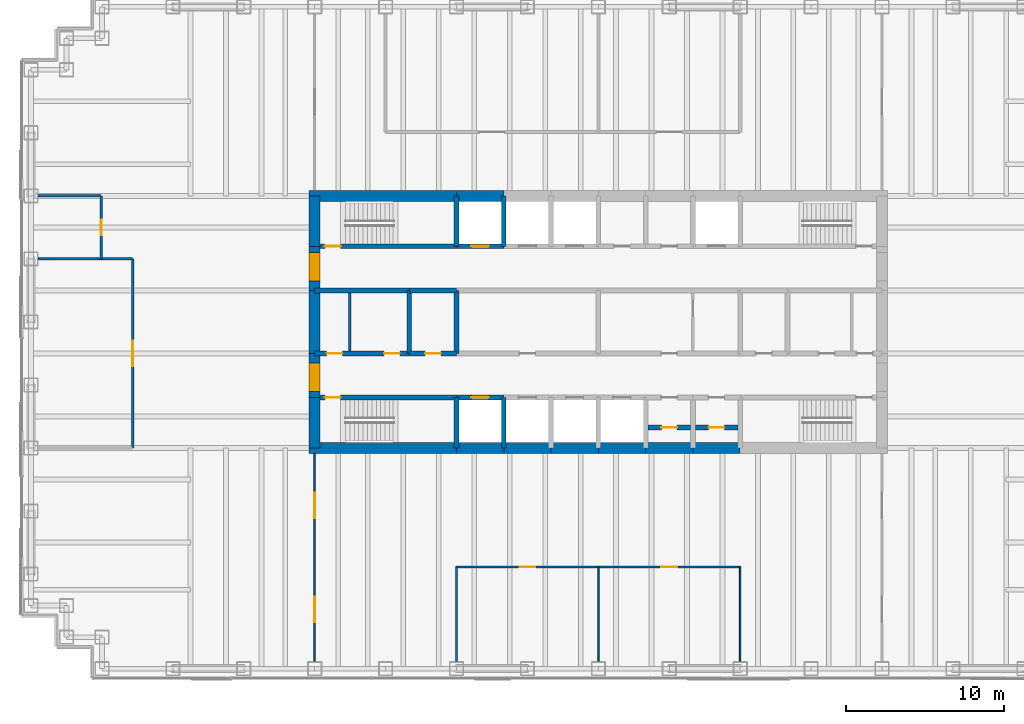
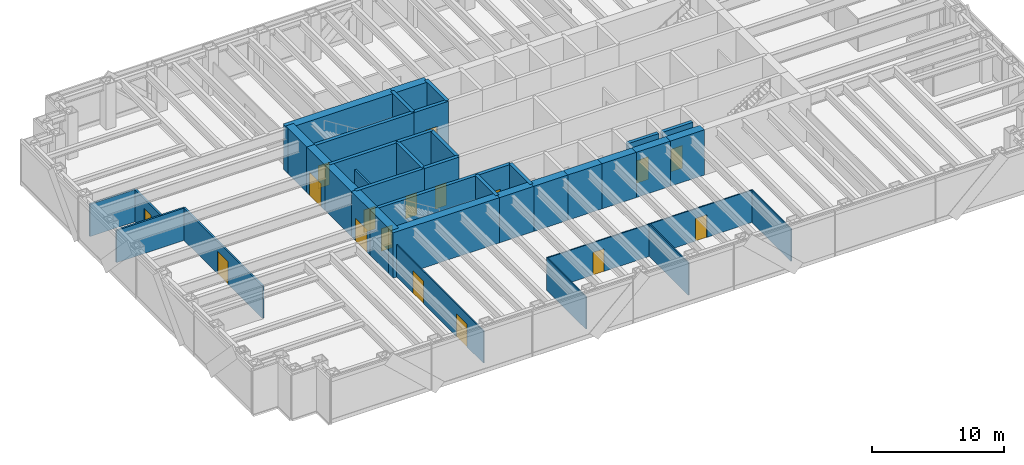
# One storey, part 11 of 15: 40 walls, 17 doors, 17 openings.
"""IFC4 building model written with IfcOpenShell, lengths in metres."""

from ifc_helpers import new_model, si_unit, direction, frame, frame_2d, origin, place, context, subcontext, project, spatial, rectangle, extrude, material, layer, layer_set, type_object, element, fill, save


model = new_model("IFC4")

# Units and contexts
model_context = context("Model", 3, precision=1e-05, world=origin(), true_north=direction((0.0, 1.0)))
body_context = subcontext(model_context, "Body", "Model", "MODEL_VIEW")
ifc_project = project(units=[si_unit("LENGTHUNIT", "METRE"), si_unit("AREAUNIT", "SQUARE_METRE"), si_unit("VOLUMEUNIT", "CUBIC_METRE"), si_unit("PLANEANGLEUNIT", "RADIAN"), si_unit("MASSUNIT", "GRAM", prefix="KILO")], contexts=[model_context])

# Site, building, storey
site_placement = place(None, origin())
site = spatial("IfcSite", under=ifc_project, at=site_placement, CompositionType="ELEMENT")
building_placement = place(site_placement, origin())
building = spatial("IfcBuilding", under=site, at=building_placement, Name="Rheinbord Bourse Tower", CompositionType="ELEMENT")
storey_placement = place(building_placement, frame((0.0, 0.0, 325.699951171875)))
storey = spatial("IfcBuildingStorey", under=building, at=storey_placement, Name="L74", CompositionType="ELEMENT", Elevation=325.699951171875)

# Wall, opening, door
ifc_material_1 = material(Name="Concrete C50/60", Category="concrete")
ifc_layer_1 = layer(ifc_material_1, 0.300048828125)
ifc_layer_set_1 = layer_set([ifc_layer_1], Name="CORE INNER WALL 300")
wall_type_1 = type_object("IfcWallType", Name="CORE INNER WALL 300", PredefinedType="SOLIDWALL", material=ifc_layer_set_1)
wall_1_placement = place(storey_placement, frame((18.0, 19.199951171875, 0.0), z_axis=(0.0, 0.0, 1.0), x_axis=(1.0, 0.0, 0.0)))
wall_1 = element("IfcWall", 1, at=wall_1_placement, inside=storey, type_object=wall_type_1, Name="Core wall A1 L74", PredefinedType="SOLIDWALL", context=body_context, shape_type="SweptSolid", body=[
    extrude(rectangle(XDim=9.0, YDim=0.300048828125, at=frame_2d((4.5, 0.0))), origin(), (0.0, 0.0, 1.0), 4.199951171875),
])
opening_1_placement = place(wall_1_placement, frame((0.64990234375, 0.0, 0.0)))
opening_1 = element("IfcOpeningElement", 2, at=opening_1_placement, cuts=wall_1, Name="Opening 7410", PredefinedType="OPENING", context=body_context, shape_type="SweptSolid", body=[
    extrude(rectangle(XDim=1.0, YDim=2.10009765625, at=frame_2d((0.5, 1.050048828125))), frame((0.0, 0.159912109375, 0.0), z_axis=(0.0, -1.0, 0.0), x_axis=(1.0, 0.0, 0.0)), (0.0, 0.0, 1.0), 0.320068359375),
])
ifc_material_2 = material(Name="Steel door", Category="steel")
door_type_1 = type_object("IfcDoorType", Name="DOOR 1000 EI30", OperationType="SINGLE_SWING_LEFT", PredefinedType="DOOR", material=ifc_material_2)
door_1_placement = place(opening_1_placement, origin())
door_1 = element("IfcDoor", 3, at=door_1_placement, inside=storey, type_object=door_type_1, Name="Stair door ST1 L74", OperationType="SINGLE_SWING_LEFT", OverallHeight=2.10009765625, OverallWidth=1.0, PredefinedType="DOOR", context=body_context, shape_type="SweptSolid", body=[
    extrude(rectangle(XDim=1.0, YDim=2.10009765625, at=frame_2d((0.5, 1.050048828125))), frame((0.0, 0.02490234375, 0.0), z_axis=(0.0, -1.0, 0.0), x_axis=(1.0, 0.0, 0.0)), (0.0, 0.0, 1.0), 0.050048828125),
])
fill(opening_1, door_1)

wall_2_placement = place(storey_placement, frame((27.0, 19.199951171875, 0.0), z_axis=(0.0, 0.0, 1.0), x_axis=(1.0, 0.0, 0.0)))
wall_2 = element("IfcWall", 4, at=wall_2_placement, inside=storey, type_object=wall_type_1, Name="Core wall A2 L74", PredefinedType="SOLIDWALL", context=body_context, shape_type="SweptSolid", body=[
    extrude(rectangle(XDim=3.0, YDim=0.300048828125, at=frame_2d((1.5, 0.0))), origin(), (0.0, 0.0, 1.0), 4.199951171875),
])
opening_2_placement = place(wall_2_placement, frame((0.949951171875, 0.0, 0.0)))
opening_2 = element("IfcOpeningElement", 5, at=opening_2_placement, cuts=wall_2, Name="Opening FL1", PredefinedType="OPENING", context=body_context, shape_type="SweptSolid", body=[
    extrude(rectangle(XDim=1.10009765625, YDim=2.199951171875, at=frame_2d((0.550048828125, 1.10009765625))), frame((0.0, 0.159912109375, 0.0), z_axis=(0.0, -1.0, 0.0), x_axis=(1.0, 0.0, 0.0)), (0.0, 0.0, 1.0), 0.320068359375),
])
ifc_material_3 = material(Name="Steel landing door", Category="steel")
door_type_2 = type_object("IfcDoorType", Name="LIFT LANDING DOOR 1100", OperationType="DOUBLE_DOOR_SLIDING", PredefinedType="USERDEFINED", material=ifc_material_3)
door_2_placement = place(opening_2_placement, origin())
door_2 = element("IfcDoor", 6, at=door_2_placement, inside=storey, type_object=door_type_2, Name="Lift landing door FL1 L74", ObjectType="LIFT LANDING DOOR", OperationType="DOUBLE_DOOR_SLIDING", OverallHeight=2.199951171875, OverallWidth=1.10009765625, PredefinedType="USERDEFINED", context=body_context, shape_type="SweptSolid", body=[
    extrude(rectangle(XDim=1.10009765625, YDim=2.199951171875, at=frame_2d((0.550048828125, 1.10009765625))), frame((0.0, 0.02490234375, 0.0), z_axis=(0.0, -1.0, 0.0), x_axis=(1.0, 0.0, 0.0)), (0.0, 0.0, 1.0), 0.050048828125),
])
fill(opening_2, door_2)

wall_3_placement = place(storey_placement, frame((18.0, 28.800048828125, 0.0), z_axis=(0.0, 0.0, 1.0), x_axis=(1.0, 0.0, 0.0)))
wall_3 = element("IfcWall", 7, at=wall_3_placement, inside=storey, type_object=wall_type_1, Name="Core wall B1 L74", PredefinedType="SOLIDWALL", context=body_context, shape_type="SweptSolid", body=[
    extrude(rectangle(XDim=9.0, YDim=0.300048828125, at=frame_2d((4.5, 0.0))), origin(), (0.0, 0.0, 1.0), 4.199951171875),
])
opening_3_placement = place(wall_3_placement, frame((0.64990234375, 0.0, 0.0)))
opening_3 = element("IfcOpeningElement", 8, at=opening_3_placement, cuts=wall_3, Name="Opening 7420", PredefinedType="OPENING", context=body_context, shape_type="SweptSolid", body=[
    extrude(rectangle(XDim=1.0, YDim=2.10009765625, at=frame_2d((0.5, 1.050048828125))), frame((0.0, 0.159912109375, 0.0), z_axis=(0.0, -1.0, 0.0), x_axis=(1.0, 0.0, 0.0)), (0.0, 0.0, 1.0), 0.320068359375),
])
door_3_placement = place(opening_3_placement, origin())
door_3 = element("IfcDoor", 9, at=door_3_placement, inside=storey, type_object=door_type_1, Name="Stair door ST2 L74", OperationType="SINGLE_SWING_LEFT", OverallHeight=2.10009765625, OverallWidth=1.0, PredefinedType="DOOR", context=body_context, shape_type="SweptSolid", body=[
    extrude(rectangle(XDim=1.0, YDim=2.10009765625, at=frame_2d((0.5, 1.050048828125))), frame((0.0, 0.02490234375, 0.0), z_axis=(0.0, -1.0, 0.0), x_axis=(1.0, 0.0, 0.0)), (0.0, 0.0, 1.0), 0.050048828125),
])
fill(opening_3, door_3)

wall_4_placement = place(storey_placement, frame((27.0, 28.800048828125, 0.0), z_axis=(0.0, 0.0, 1.0), x_axis=(1.0, 0.0, 0.0)))
wall_4 = element("IfcWall", 10, at=wall_4_placement, inside=storey, type_object=wall_type_1, Name="Core wall B2 L74", PredefinedType="SOLIDWALL", context=body_context, shape_type="SweptSolid", body=[
    extrude(rectangle(XDim=3.0, YDim=0.300048828125, at=frame_2d((1.5, 0.0))), origin(), (0.0, 0.0, 1.0), 4.199951171875),
])
opening_4_placement = place(wall_4_placement, frame((0.949951171875, 0.0, 0.0)))
opening_4 = element("IfcOpeningElement", 11, at=opening_4_placement, cuts=wall_4, Name="Opening GL1", PredefinedType="OPENING", context=body_context, shape_type="SweptSolid", body=[
    extrude(rectangle(XDim=1.10009765625, YDim=2.199951171875, at=frame_2d((0.550048828125, 1.10009765625))), frame((0.0, 0.159912109375, 0.0), z_axis=(0.0, -1.0, 0.0), x_axis=(1.0, 0.0, 0.0)), (0.0, 0.0, 1.0), 0.320068359375),
])
door_4_placement = place(opening_4_placement, origin())
door_4 = element("IfcDoor", 12, at=door_4_placement, inside=storey, type_object=door_type_2, Name="Lift landing door GL1 L74", ObjectType="LIFT LANDING DOOR", OperationType="DOUBLE_DOOR_SLIDING", OverallHeight=2.199951171875, OverallWidth=1.10009765625, PredefinedType="USERDEFINED", context=body_context, shape_type="SweptSolid", body=[
    extrude(rectangle(XDim=1.10009765625, YDim=2.199951171875, at=frame_2d((0.550048828125, 1.10009765625))), frame((0.0, 0.02490234375, 0.0), z_axis=(0.0, -1.0, 0.0), x_axis=(1.0, 0.0, 0.0)), (0.0, 0.0, 1.0), 0.050048828125),
])
fill(opening_4, door_4)

# Wall, openings, doors
wall_5_placement = place(storey_placement, frame((18.0, 22.0, 0.0), z_axis=(0.0, 0.0, 1.0), x_axis=(1.0, 0.0, 0.0)))
wall_5 = element("IfcWall", 13, at=wall_5_placement, inside=storey, type_object=wall_type_1, Name="Core wall C1 L74", PredefinedType="SOLIDWALL", context=body_context, shape_type="SweptSolid", body=[
    extrude(rectangle(XDim=6.0, YDim=0.300048828125, at=frame_2d((3.0, 0.0))), origin(), (0.0, 0.0, 1.0), 4.199951171875),
])
opening_5_placement = place(wall_5_placement, frame((4.39990234375, 0.0, 0.0)))
opening_5 = element("IfcOpeningElement", 14, at=opening_5_placement, cuts=wall_5, Name="Opening 74R1", PredefinedType="OPENING", context=body_context, shape_type="SweptSolid", body=[
    extrude(rectangle(XDim=1.0, YDim=2.10009765625, at=frame_2d((0.5, 1.050048828125))), frame((0.0, 0.159912109375, 0.0), z_axis=(0.0, -1.0, 0.0), x_axis=(1.0, 0.0, 0.0)), (0.0, 0.0, 1.0), 0.320068359375),
])
opening_6_placement = place(wall_5_placement, frame((0.75, 0.0, 0.0)))
opening_6 = element("IfcOpeningElement", 15, at=opening_6_placement, cuts=wall_5, Name="Opening 74R9", PredefinedType="OPENING", context=body_context, shape_type="SweptSolid", body=[
    extrude(rectangle(XDim=1.0, YDim=2.10009765625, at=frame_2d((0.5, 1.050048828125))), frame((0.0, 0.159912109375, 0.0), z_axis=(0.0, -1.0, 0.0), x_axis=(1.0, 0.0, 0.0)), (0.0, 0.0, 1.0), 0.320068359375),
])
door_5_placement = place(opening_6_placement, origin())
door_5 = element("IfcDoor", 16, at=door_5_placement, inside=storey, type_object=door_type_1, Name="Staff shower door L74", OperationType="SINGLE_SWING_LEFT", OverallHeight=2.10009765625, OverallWidth=1.0, PredefinedType="DOOR", context=body_context, shape_type="SweptSolid", body=[
    extrude(rectangle(XDim=1.0, YDim=2.10009765625, at=frame_2d((0.5, 1.050048828125))), frame((0.0, 0.02490234375, 0.0), z_axis=(0.0, -1.0, 0.0), x_axis=(1.0, 0.0, 0.0)), (0.0, 0.0, 1.0), 0.050048828125),
])
fill(opening_6, door_5)
ifc_material_4 = material(Name="Timber door", Category="wood")
door_type_3 = type_object("IfcDoorType", Name="DOOR 1000 WC", OperationType="SINGLE_SWING_LEFT", PredefinedType="DOOR", material=ifc_material_4)
door_6_placement = place(opening_5_placement, origin())
door_6 = element("IfcDoor", 17, at=door_6_placement, inside=storey, type_object=door_type_3, Name="WC men door L74", OperationType="SINGLE_SWING_RIGHT", OverallHeight=2.10009765625, OverallWidth=1.0, PredefinedType="DOOR", context=body_context, shape_type="SweptSolid", body=[
    extrude(rectangle(XDim=1.0, YDim=2.10009765625, at=frame_2d((0.5, 1.050048828125))), frame((0.0, 0.02490234375, 0.0), z_axis=(0.0, -1.0, 0.0), x_axis=(1.0, 0.0, 0.0)), (0.0, 0.0, 1.0), 0.050048828125),
])
fill(opening_5, door_6)

# Wall, opening, door
wall_6_placement = place(storey_placement, frame((24.0, 22.0, 0.0), z_axis=(0.0, 0.0, 1.0), x_axis=(1.0, 0.0, 0.0)))
wall_6 = element("IfcWall", 18, at=wall_6_placement, inside=storey, type_object=wall_type_1, Name="Core wall C2 L74", PredefinedType="SOLIDWALL", context=body_context, shape_type="SweptSolid", body=[
    extrude(rectangle(XDim=3.0, YDim=0.300048828125, at=frame_2d((1.5, 0.0))), origin(), (0.0, 0.0, 1.0), 4.199951171875),
])
opening_7_placement = place(wall_6_placement, frame((1.0, 0.0, 0.0)))
opening_7 = element("IfcOpeningElement", 19, at=opening_7_placement, cuts=wall_6, Name="Opening 74R2", PredefinedType="OPENING", context=body_context, shape_type="SweptSolid", body=[
    extrude(rectangle(XDim=1.0, YDim=2.10009765625, at=frame_2d((0.5, 1.050048828125))), frame((0.0, 0.159912109375, 0.0), z_axis=(0.0, -1.0, 0.0), x_axis=(1.0, 0.0, 0.0)), (0.0, 0.0, 1.0), 0.320068359375),
])
door_7_placement = place(opening_7_placement, origin())
door_7 = element("IfcDoor", 20, at=door_7_placement, inside=storey, type_object=door_type_1, Name="First aid room door L74", OperationType="SINGLE_SWING_LEFT", OverallHeight=2.10009765625, OverallWidth=1.0, PredefinedType="DOOR", context=body_context, shape_type="SweptSolid", body=[
    extrude(rectangle(XDim=1.0, YDim=2.10009765625, at=frame_2d((0.5, 1.050048828125))), frame((0.0, 0.02490234375, 0.0), z_axis=(0.0, -1.0, 0.0), x_axis=(1.0, 0.0, 0.0)), (0.0, 0.0, 1.0), 0.050048828125),
])
fill(opening_7, door_7)

# Walls
wall_7_placement = place(storey_placement, frame((18.0, 26.0, 0.0), z_axis=(0.0, 0.0, 1.0), x_axis=(1.0, 0.0, 0.0)))
element("IfcWall", 21, at=wall_7_placement, inside=storey, type_object=wall_type_1, Name="Core wall D1 L74", PredefinedType="SOLIDWALL", context=body_context, shape_type="SweptSolid", body=[
    extrude(rectangle(XDim=6.0, YDim=0.300048828125, at=frame_2d((3.0, 0.0))), origin(), (0.0, 0.0, 1.0), 4.199951171875),
])
wall_8_placement = place(storey_placement, frame((24.0, 26.0, 0.0), z_axis=(0.0, 0.0, 1.0), x_axis=(1.0, 0.0, 0.0)))
element("IfcWall", 22, at=wall_8_placement, inside=storey, type_object=wall_type_1, Name="Core wall D2 L74", PredefinedType="SOLIDWALL", context=body_context, shape_type="SweptSolid", body=[
    extrude(rectangle(XDim=3.0, YDim=0.300048828125, at=frame_2d((1.5, 0.0))), origin(), (0.0, 0.0, 1.0), 4.199951171875),
])
for number, where, z_axis, x_axis, name in (
    (23, (27.0, 16.0, 0.0), (0.0, 0.0, 1.0), (0.0, 1.0, 0.0), "Core wall SX27 L74"),
    (24, (27.0, 28.800048828125, 0.0), (0.0, 0.0, 1.0), (0.0, 1.0, 0.0), "Core wall NX27 L74"),
    (25, (30.0, 16.0, 0.0), (0.0, 0.0, 1.0), (0.0, 1.0, 0.0), "Core wall SX30 L74"),
    (26, (30.0, 28.800048828125, 0.0), (0.0, 0.0, 1.0), (0.0, 1.0, 0.0), "Core wall NX30 L74"),
):
    element("IfcWall", number, at=place(storey_placement, frame(where, z_axis=z_axis, x_axis=x_axis)), inside=storey, type_object=wall_type_1, Name=name, PredefinedType="SOLIDWALL", context=body_context, shape_type="SweptSolid", body=[
        extrude(rectangle(XDim=3.199951171875, YDim=0.300048828125, at=frame_2d((1.60009765625, 0.0))), origin(), (0.0, 0.0, 1.0), 4.199951171875),
    ])
for number, where, z_axis, x_axis, name in (
    (27, (24.0, 22.0, 0.0), (0.0, 0.0, 1.0), (0.0, 1.0, 0.0), "Core wall MX24 L74"),
    (28, (27.0, 22.0, 0.0), (0.0, 0.0, 1.0), (0.0, 1.0, 0.0), "Core wall MX27 L74"),
):
    element("IfcWall", number, at=place(storey_placement, frame(where, z_axis=z_axis, x_axis=x_axis)), inside=storey, type_object=wall_type_1, Name=name, PredefinedType="SOLIDWALL", context=body_context, shape_type="SweptSolid", body=[
        extrude(rectangle(XDim=4.0, YDim=0.300048828125, at=frame_2d((2.0, 0.0))), origin(), (0.0, 0.0, 1.0), 4.199951171875),
    ])

# Wall, opening, door
wall_9_placement = place(storey_placement, frame((39.14990234375, 17.300048828125, 0.0), z_axis=(0.0, 0.0, 1.0), x_axis=(1.0, 0.0, 0.0)))
wall_9 = element("IfcWall", 29, at=wall_9_placement, inside=storey, type_object=wall_type_1, Name="Core riser wall L74-6", PredefinedType="SOLIDWALL", context=body_context, shape_type="SweptSolid", body=[
    extrude(rectangle(XDim=2.7001953125, YDim=0.300048828125, at=frame_2d((1.35009765625, 0.0))), origin(), (0.0, 0.0, 1.0), 4.0400390625),
])
opening_8_placement = place(wall_9_placement, frame((0.85009765625, 0.0, 0.0)))
opening_8 = element("IfcOpeningElement", 30, at=opening_8_placement, cuts=wall_9, Name="Opening 74R12", PredefinedType="OPENING", context=body_context, shape_type="SweptSolid", body=[
    extrude(rectangle(XDim=1.0, YDim=2.10009765625, at=frame_2d((0.5, 1.050048828125))), frame((0.0, 0.159912109375, 0.0), z_axis=(0.0, -1.0, 0.0), x_axis=(1.0, 0.0, 0.0)), (0.0, 0.0, 1.0), 0.320068359375),
])
door_8_placement = place(opening_8_placement, origin())
door_8 = element("IfcDoor", 31, at=door_8_placement, inside=storey, type_object=door_type_1, Name="Comms riser door L74", OperationType="SINGLE_SWING_LEFT", OverallHeight=2.10009765625, OverallWidth=1.0, PredefinedType="DOOR", context=body_context, shape_type="SweptSolid", body=[
    extrude(rectangle(XDim=1.0, YDim=2.10009765625, at=frame_2d((0.5, 1.050048828125))), frame((0.0, 0.02490234375, 0.0), z_axis=(0.0, -1.0, 0.0), x_axis=(1.0, 0.0, 0.0)), (0.0, 0.0, 1.0), 0.050048828125),
])
fill(opening_8, door_8)

wall_10_placement = place(storey_placement, frame((42.14990234375, 17.300048828125, 0.0), z_axis=(0.0, 0.0, 1.0), x_axis=(1.0, 0.0, 0.0)))
wall_10 = element("IfcWall", 32, at=wall_10_placement, inside=storey, type_object=wall_type_1, Name="Core riser wall L74-7", PredefinedType="SOLIDWALL", context=body_context, shape_type="SweptSolid", body=[
    extrude(rectangle(XDim=2.7001953125, YDim=0.300048828125, at=frame_2d((1.35009765625, 0.0))), origin(), (0.0, 0.0, 1.0), 4.0400390625),
])
opening_9_placement = place(wall_10_placement, frame((0.85009765625, 0.0, 0.0)))
opening_9 = element("IfcOpeningElement", 33, at=opening_9_placement, cuts=wall_10, Name="Opening 74R13", PredefinedType="OPENING", context=body_context, shape_type="SweptSolid", body=[
    extrude(rectangle(XDim=1.0, YDim=2.10009765625, at=frame_2d((0.5, 1.050048828125))), frame((0.0, 0.159912109375, 0.0), z_axis=(0.0, -1.0, 0.0), x_axis=(1.0, 0.0, 0.0)), (0.0, 0.0, 1.0), 0.320068359375),
])
door_9_placement = place(opening_9_placement, origin())
door_9 = element("IfcDoor", 34, at=door_9_placement, inside=storey, type_object=door_type_1, Name="Electrical riser door L74", OperationType="SINGLE_SWING_LEFT", OverallHeight=2.10009765625, OverallWidth=1.0, PredefinedType="DOOR", context=body_context, shape_type="SweptSolid", body=[
    extrude(rectangle(XDim=1.0, YDim=2.10009765625, at=frame_2d((0.5, 1.050048828125))), frame((0.0, 0.02490234375, 0.0), z_axis=(0.0, -1.0, 0.0), x_axis=(1.0, 0.0, 0.0)), (0.0, 0.0, 1.0), 0.050048828125),
])
fill(opening_9, door_9)

# Walls
ifc_material_5 = material(Name="Gypsum board fire partition", Category="gypsum board")
ifc_layer_2 = layer(ifc_material_5, 0.14990234375)
ifc_layer_set_2 = layer_set([ifc_layer_2], Name="CORE PARTITION 150 EI30")
wall_type_2 = type_object("IfcWallType", Name="CORE PARTITION 150 EI30", PredefinedType="PARTITIONING", material=ifc_layer_set_2)
wall_11_placement = place(storey_placement, frame((20.22509765625, 22.14990234375, 0.0), z_axis=(0.0, 0.0, 1.0), x_axis=(0.0, 1.0, 0.0)))
element("IfcWall", 35, at=wall_11_placement, inside=storey, type_object=wall_type_2, Name="Core partition L74-2", PredefinedType="PARTITIONING", context=body_context, shape_type="SweptSolid", body=[
    extrude(rectangle(XDim=3.7001953125, YDim=0.14990234375, at=frame_2d((1.85009765625, 0.0))), origin(), (0.0, 0.0, 1.0), 3.0),
])
ifc_material_6 = material(Name="Concrete C50/60", Category="concrete")
ifc_layer_3 = layer(ifc_material_6, 0.699951171875)
ifc_layer_set_3 = layer_set([ifc_layer_3], Name="CORE WALL 700")
wall_type_3 = type_object("IfcWallType", Name="CORE WALL 700", PredefinedType="SHEAR", material=ifc_layer_set_3)
wall_12_placement = place(storey_placement, frame((17.64990234375, 16.0, 0.0), z_axis=(0.0, 0.0, 1.0), x_axis=(1.0, 0.0, 0.0)))
element("IfcWall", 36, at=wall_12_placement, inside=storey, type_object=wall_type_3, Name="Core wall S1 L74", PredefinedType="SHEAR", context=body_context, shape_type="SweptSolid", body=[
    extrude(rectangle(XDim=9.35009765625, YDim=0.699951171875, at=frame_2d((4.675048828125, 0.0))), origin(), (0.0, 0.0, 1.0), 4.199951171875),
])
for number, where, z_axis, x_axis, name in (
    (37, (27.0, 16.0, 0.0), (0.0, 0.0, 1.0), (1.0, 0.0, 0.0), "Core wall S2 L74"),
    (38, (30.0, 16.0, 0.0), (0.0, 0.0, 1.0), (1.0, 0.0, 0.0), "Core wall S3 L74"),
    (39, (33.0, 16.0, 0.0), (0.0, 0.0, 1.0), (1.0, 0.0, 0.0), "Core wall S4 L74"),
    (40, (36.0, 16.0, 0.0), (0.0, 0.0, 1.0), (1.0, 0.0, 0.0), "Core wall S5 L74"),
    (41, (39.0, 16.0, 0.0), (0.0, 0.0, 1.0), (1.0, 0.0, 0.0), "Core wall S6 L74"),
    (42, (42.0, 16.0, 0.0), (0.0, 0.0, 1.0), (1.0, 0.0, 0.0), "Core wall S7 L74"),
    (43, (30.0, 32.0, 0.0), (0.0, 0.0, 1.0), (-1.0, 0.0, 0.0), "Core wall N7 L74"),
):
    element("IfcWall", number, at=place(storey_placement, frame(where, z_axis=z_axis, x_axis=x_axis)), inside=storey, type_object=wall_type_3, Name=name, PredefinedType="SHEAR", context=body_context, shape_type="SweptSolid", body=[
        extrude(rectangle(XDim=3.0, YDim=0.699951171875, at=frame_2d((1.5, 0.0))), origin(), (0.0, 0.0, 1.0), 4.199951171875),
    ])
wall_13_placement = place(storey_placement, frame((27.0, 32.0, 0.0), z_axis=(0.0, 0.0, 1.0), x_axis=(-1.0, 0.0, 0.0)))
element("IfcWall", 44, at=wall_13_placement, inside=storey, type_object=wall_type_3, Name="Core wall N8 L74", PredefinedType="SHEAR", context=body_context, shape_type="SweptSolid", body=[
    extrude(rectangle(XDim=9.35009765625, YDim=0.699951171875, at=frame_2d((4.675048828125, 0.0))), origin(), (0.0, 0.0, 1.0), 4.199951171875),
])
wall_14_placement = place(storey_placement, frame((18.0, 32.0, 0.0), z_axis=(0.0, 0.0, 1.0), x_axis=(0.0, -1.0, 0.0)))
element("IfcWall", 45, at=wall_14_placement, inside=storey, type_object=wall_type_3, Name="Core wall W1 L74", PredefinedType="SHEAR", context=body_context, shape_type="SweptSolid", body=[
    extrude(rectangle(XDim=3.199951171875, YDim=0.699951171875, at=frame_2d((1.60009765625, 0.0))), origin(), (0.0, 0.0, 1.0), 4.199951171875),
])

# Wall, opening, door
wall_15_placement = place(storey_placement, frame((18.0, 28.800048828125, 0.0), z_axis=(0.0, 0.0, 1.0), x_axis=(0.0, -1.0, 0.0)))
wall_15 = element("IfcWall", 46, at=wall_15_placement, inside=storey, type_object=wall_type_3, Name="Core wall W2 L74", PredefinedType="SHEAR", context=body_context, shape_type="SweptSolid", body=[
    extrude(rectangle(XDim=2.800048828125, YDim=0.699951171875, at=frame_2d((1.39990234375, 0.0))), origin(), (0.0, 0.0, 1.0), 4.199951171875),
])
opening_10_placement = place(wall_15_placement, frame((0.39990234375, 0.0, 0.0)))
opening_10 = element("IfcOpeningElement", 47, at=opening_10_placement, cuts=wall_15, Name="Opening 74L2", PredefinedType="OPENING", context=body_context, shape_type="SweptSolid", body=[
    extrude(rectangle(XDim=1.800048828125, YDim=2.10009765625, at=frame_2d((0.89990234375, 1.050048828125))), frame((0.0, 0.35986328125, 0.0), z_axis=(0.0, -1.0, 0.0), x_axis=(1.0, 0.0, 0.0)), (0.0, 0.0, 1.0), 0.719970703125),
])
ifc_material_7 = material(Name="Steel door", Category="steel")
door_type_4 = type_object("IfcDoorType", Name="DOOR 1800 EI30 DOUBLE", OperationType="DOUBLE_DOOR_DOUBLE_SWING", PredefinedType="DOOR", material=ifc_material_7)
door_10_placement = place(opening_10_placement, origin())
door_10 = element("IfcDoor", 48, at=door_10_placement, inside=storey, type_object=door_type_4, Name="Lobby door 2 L74", OperationType="SINGLE_SWING_LEFT", OverallHeight=2.10009765625, OverallWidth=1.800048828125, PredefinedType="DOOR", context=body_context, shape_type="SweptSolid", body=[
    extrude(rectangle(XDim=1.800048828125, YDim=2.10009765625, at=frame_2d((0.89990234375, 1.050048828125))), frame((0.0, 0.349609375, 0.0), z_axis=(0.0, -1.0, 0.0), x_axis=(1.0, 0.0, 0.0)), (0.0, 0.0, 1.0), 0.699462890625),
])
fill(opening_10, door_10)

# Wall
wall_16_placement = place(storey_placement, frame((18.0, 26.0, 0.0), z_axis=(0.0, 0.0, 1.0), x_axis=(0.0, -1.0, 0.0)))
element("IfcWall", 49, at=wall_16_placement, inside=storey, type_object=wall_type_3, Name="Core wall W3 L74", PredefinedType="SHEAR", context=body_context, shape_type="SweptSolid", body=[
    extrude(rectangle(XDim=4.0, YDim=0.699951171875, at=frame_2d((2.0, 0.0))), origin(), (0.0, 0.0, 1.0), 4.199951171875),
])

# Wall, opening, door
wall_17_placement = place(storey_placement, frame((18.0, 22.0, 0.0), z_axis=(0.0, 0.0, 1.0), x_axis=(0.0, -1.0, 0.0)))
wall_17 = element("IfcWall", 50, at=wall_17_placement, inside=storey, type_object=wall_type_3, Name="Core wall W4 L74", PredefinedType="SHEAR", context=body_context, shape_type="SweptSolid", body=[
    extrude(rectangle(XDim=2.800048828125, YDim=0.699951171875, at=frame_2d((1.39990234375, 0.0))), origin(), (0.0, 0.0, 1.0), 4.199951171875),
])
opening_11_placement = place(wall_17_placement, frame((0.60009765625, 0.0, 0.0)))
opening_11 = element("IfcOpeningElement", 51, at=opening_11_placement, cuts=wall_17, Name="Opening 74L1", PredefinedType="OPENING", context=body_context, shape_type="SweptSolid", body=[
    extrude(rectangle(XDim=1.800048828125, YDim=2.10009765625, at=frame_2d((0.89990234375, 1.050048828125))), frame((0.0, 0.35986328125, 0.0), z_axis=(0.0, -1.0, 0.0), x_axis=(1.0, 0.0, 0.0)), (0.0, 0.0, 1.0), 0.719970703125),
])
door_11_placement = place(opening_11_placement, origin())
door_11 = element("IfcDoor", 52, at=door_11_placement, inside=storey, type_object=door_type_4, Name="Lobby door 1 L74", OperationType="SINGLE_SWING_LEFT", OverallHeight=2.10009765625, OverallWidth=1.800048828125, PredefinedType="DOOR", context=body_context, shape_type="SweptSolid", body=[
    extrude(rectangle(XDim=1.800048828125, YDim=2.10009765625, at=frame_2d((0.89990234375, 1.050048828125))), frame((0.0, 0.349609375, 0.0), z_axis=(0.0, -1.0, 0.0), x_axis=(1.0, 0.0, 0.0)), (0.0, 0.0, 1.0), 0.699462890625),
])
fill(opening_11, door_11)

# Wall
wall_18_placement = place(storey_placement, frame((18.0, 19.199951171875, 0.0), z_axis=(0.0, 0.0, 1.0), x_axis=(0.0, -1.0, 0.0)))
element("IfcWall", 53, at=wall_18_placement, inside=storey, type_object=wall_type_3, Name="Core wall W5 L74", PredefinedType="SHEAR", context=body_context, shape_type="SweptSolid", body=[
    extrude(rectangle(XDim=3.199951171875, YDim=0.699951171875, at=frame_2d((1.60009765625, 0.0))), origin(), (0.0, 0.0, 1.0), 4.199951171875),
])

# Wall, openings, doors
ifc_material_8 = material(Name="Toughened laminated glass partition", Category="glass")
ifc_layer_4 = layer(ifc_material_8, 0.10009765625)
ifc_layer_set_4 = layer_set([ifc_layer_4], Name="GLAZED PARTITION 100")
wall_type_4 = type_object("IfcWallType", Name="GLAZED PARTITION 100", PredefinedType="PARTITIONING", material=ifc_layer_set_4)
wall_19_placement = place(storey_placement, frame((27.0, 8.449951171875, 0.0), z_axis=(0.0, 0.0, 1.0), x_axis=(1.0, 0.0, 0.0)))
wall_19 = element("IfcWall", 54, at=wall_19_placement, inside=storey, type_object=wall_type_4, Name="Partition L74-01", PredefinedType="PARTITIONING", context=body_context, shape_type="SweptSolid", body=[
    extrude(rectangle(XDim=18.0, YDim=0.10009765625, at=frame_2d((9.0, 0.0))), origin(), (0.0, 0.0, 1.0), 3.0),
])
opening_12_placement = place(wall_19_placement, frame((4.0, 0.0, 0.0)))
opening_12 = element("IfcOpeningElement", 55, at=opening_12_placement, cuts=wall_19, Name="Opening 74D01", PredefinedType="OPENING", context=body_context, shape_type="SweptSolid", body=[
    extrude(rectangle(XDim=1.0, YDim=2.10009765625, at=frame_2d((0.5, 1.050048828125))), frame((0.0, 0.06005859375, 0.0), z_axis=(0.0, -1.0, 0.0), x_axis=(1.0, 0.0, 0.0)), (0.0, 0.0, 1.0), 0.1201171875),
])
opening_13_placement = place(wall_19_placement, frame((13.0, 0.0, 0.0)))
opening_13 = element("IfcOpeningElement", 56, at=opening_13_placement, cuts=wall_19, Name="Opening 74D02", PredefinedType="OPENING", context=body_context, shape_type="SweptSolid", body=[
    extrude(rectangle(XDim=1.0, YDim=2.10009765625, at=frame_2d((0.5, 1.050048828125))), frame((0.0, 0.06005859375, 0.0), z_axis=(0.0, -1.0, 0.0), x_axis=(1.0, 0.0, 0.0)), (0.0, 0.0, 1.0), 0.1201171875),
])
ifc_material_9 = material(Name="Timber door", Category="wood")
door_type_5 = type_object("IfcDoorType", Name="ROOM DOOR 1000", OperationType="SINGLE_SWING_LEFT", PredefinedType="DOOR", material=ifc_material_9)
door_12_placement = place(opening_12_placement, origin())
door_12 = element("IfcDoor", 57, at=door_12_placement, inside=storey, type_object=door_type_5, Name="Meeting room door L74", OperationType="SINGLE_SWING_LEFT", OverallHeight=2.10009765625, OverallWidth=1.0, PredefinedType="DOOR", context=body_context, shape_type="SweptSolid", body=[
    extrude(rectangle(XDim=1.0, YDim=2.10009765625, at=frame_2d((0.5, 1.050048828125))), frame((0.0, 0.02490234375, 0.0), z_axis=(0.0, -1.0, 0.0), x_axis=(1.0, 0.0, 0.0)), (0.0, 0.0, 1.0), 0.050048828125),
])
fill(opening_12, door_12)
door_13_placement = place(opening_13_placement, origin())
door_13 = element("IfcDoor", 58, at=door_13_placement, inside=storey, type_object=door_type_5, Name="Meeting room door L74", OperationType="SINGLE_SWING_RIGHT", OverallHeight=2.10009765625, OverallWidth=1.0, PredefinedType="DOOR", context=body_context, shape_type="SweptSolid", body=[
    extrude(rectangle(XDim=1.0, YDim=2.10009765625, at=frame_2d((0.5, 1.050048828125))), frame((0.0, 0.02490234375, 0.0), z_axis=(0.0, -1.0, 0.0), x_axis=(1.0, 0.0, 0.0)), (0.0, 0.0, 1.0), 0.050048828125),
])
fill(opening_13, door_13)

wall_20_placement = place(storey_placement, frame((18.0, 2.449951171875, 0.0), z_axis=(0.0, 0.0, 1.0), x_axis=(0.0, 1.0, 0.0)))
wall_20 = element("IfcWall", 59, at=wall_20_placement, inside=storey, type_object=wall_type_4, Name="Partition L74-12", PredefinedType="PARTITIONING", context=body_context, shape_type="SweptSolid", body=[
    extrude(rectangle(XDim=13.199951171875, YDim=0.10009765625, at=frame_2d((6.60009765625, 0.0))), origin(), (0.0, 0.0, 1.0), 3.0),
])
opening_14_placement = place(wall_20_placement, frame((2.5, 0.0, 0.0)))
opening_14 = element("IfcOpeningElement", 60, at=opening_14_placement, cuts=wall_20, Name="Opening 74D09", PredefinedType="OPENING", context=body_context, shape_type="SweptSolid", body=[
    extrude(rectangle(XDim=1.60009765625, YDim=2.10009765625, at=frame_2d((0.800048828125, 1.050048828125))), frame((0.0, 0.06005859375, 0.0), z_axis=(0.0, -1.0, 0.0), x_axis=(1.0, 0.0, 0.0)), (0.0, 0.0, 1.0), 0.1201171875),
])
opening_15_placement = place(wall_20_placement, frame((9.10009765625, 0.0, 0.0)))
opening_15 = element("IfcOpeningElement", 61, at=opening_15_placement, cuts=wall_20, Name="Opening 74D10", PredefinedType="OPENING", context=body_context, shape_type="SweptSolid", body=[
    extrude(rectangle(XDim=1.60009765625, YDim=2.10009765625, at=frame_2d((0.800048828125, 1.050048828125))), frame((0.0, 0.06005859375, 0.0), z_axis=(0.0, -1.0, 0.0), x_axis=(1.0, 0.0, 0.0)), (0.0, 0.0, 1.0), 0.1201171875),
])
ifc_material_10 = material(Name="Timber door", Category="wood")
door_type_6 = type_object("IfcDoorType", Name="DOUBLE ROOM DOOR 1600", OperationType="DOUBLE_DOOR_DOUBLE_SWING", PredefinedType="DOOR", material=ifc_material_10)
door_14_placement = place(opening_14_placement, origin())
door_14 = element("IfcDoor", 62, at=door_14_placement, inside=storey, type_object=door_type_6, Name="Open area door L74", OperationType="SINGLE_SWING_LEFT", OverallHeight=2.10009765625, OverallWidth=1.60009765625, PredefinedType="DOOR", context=body_context, shape_type="SweptSolid", body=[
    extrude(rectangle(XDim=1.60009765625, YDim=2.10009765625, at=frame_2d((0.800048828125, 1.050048828125))), frame((0.0, 0.02490234375, 0.0), z_axis=(0.0, -1.0, 0.0), x_axis=(1.0, 0.0, 0.0)), (0.0, 0.0, 1.0), 0.050048828125),
])
fill(opening_14, door_14)
door_15_placement = place(opening_15_placement, origin())
door_15 = element("IfcDoor", 63, at=door_15_placement, inside=storey, type_object=door_type_6, Name="Open area door L74", OperationType="SINGLE_SWING_LEFT", OverallHeight=2.10009765625, OverallWidth=1.60009765625, PredefinedType="DOOR", context=body_context, shape_type="SweptSolid", body=[
    extrude(rectangle(XDim=1.60009765625, YDim=2.10009765625, at=frame_2d((0.800048828125, 1.050048828125))), frame((0.0, 0.02490234375, 0.0), z_axis=(0.0, -1.0, 0.0), x_axis=(1.0, 0.0, 0.0)), (0.0, 0.0, 1.0), 0.050048828125),
])
fill(opening_15, door_15)

# Walls
for number, where, z_axis, x_axis, name in (
    (64, (27.0, 2.449951171875, 0.0), (0.0, 0.0, 1.0), (0.0, 1.0, 0.0), "Partition L74-15"),
    (65, (36.0, 2.449951171875, 0.0), (0.0, 0.0, 1.0), (0.0, 1.0, 0.0), "Partition L74-16"),
    (66, (45.0, 2.449951171875, 0.0), (0.0, 0.0, 1.0), (0.0, 1.0, 0.0), "Partition L74-18"),
):
    element("IfcWall", number, at=place(storey_placement, frame(where, z_axis=z_axis, x_axis=x_axis)), inside=storey, type_object=wall_type_4, Name=name, PredefinedType="PARTITIONING", context=body_context, shape_type="SweptSolid", body=[
        extrude(rectangle(XDim=6.0, YDim=0.10009765625, at=frame_2d((3.0, 0.0))), origin(), (0.0, 0.0, 1.0), 3.0),
    ])
ifc_material_11 = material(Name="Gypsum board partition", Category="gypsum board")
ifc_layer_5 = layer(ifc_material_11, 0.14990234375)
ifc_layer_set_5 = layer_set([ifc_layer_5], Name="PARTITION 150")
wall_type_5 = type_object("IfcWallType", Name="PARTITION 150", PredefinedType="PARTITIONING", material=ifc_layer_set_5)
wall_21_placement = place(storey_placement, frame((0.449951171875, 28.0, 0.0), z_axis=(0.0, 0.0, 1.0), x_axis=(1.0, 0.0, 0.0)))
element("IfcWall", 67, at=wall_21_placement, inside=storey, type_object=wall_type_5, Name="Partition L74-06", PredefinedType="PARTITIONING", context=body_context, shape_type="SweptSolid", body=[
    extrude(rectangle(XDim=6.0, YDim=0.14990234375, at=frame_2d((3.0, 0.0))), origin(), (0.0, 0.0, 1.0), 3.0),
])
wall_22_placement = place(storey_placement, frame((0.449951171875, 32.0, 0.0), z_axis=(0.0, 0.0, 1.0), x_axis=(1.0, 0.0, 0.0)))
element("IfcWall", 68, at=wall_22_placement, inside=storey, type_object=wall_type_5, Name="Partition L74-07", PredefinedType="PARTITIONING", context=body_context, shape_type="SweptSolid", body=[
    extrude(rectangle(XDim=4.0, YDim=0.14990234375, at=frame_2d((2.0, 0.0))), origin(), (0.0, 0.0, 1.0), 3.0),
])

# Wall, opening, door
wall_23_placement = place(storey_placement, frame((4.449951171875, 28.0, 0.0), z_axis=(0.0, 0.0, 1.0), x_axis=(0.0, 1.0, 0.0)))
wall_23 = element("IfcWall", 69, at=wall_23_placement, inside=storey, type_object=wall_type_5, Name="Partition L74-10", PredefinedType="PARTITIONING", context=body_context, shape_type="SweptSolid", body=[
    extrude(rectangle(XDim=4.0, YDim=0.14990234375, at=frame_2d((2.0, 0.0))), origin(), (0.0, 0.0, 1.0), 3.0),
])
opening_16_placement = place(wall_23_placement, frame((1.5, 0.0, 0.0)))
opening_16 = element("IfcOpeningElement", 70, at=opening_16_placement, cuts=wall_23, Name="Opening 74D06", PredefinedType="OPENING", context=body_context, shape_type="SweptSolid", body=[
    extrude(rectangle(XDim=1.0, YDim=2.10009765625, at=frame_2d((0.5, 1.050048828125))), frame((0.0, 0.0849609375, 0.0), z_axis=(0.0, -1.0, 0.0), x_axis=(1.0, 0.0, 0.0)), (0.0, 0.0, 1.0), 0.169921875),
])
door_16_placement = place(opening_16_placement, origin())
door_16 = element("IfcDoor", 71, at=door_16_placement, inside=storey, type_object=door_type_5, Name="AV control room door L74", OperationType="SINGLE_SWING_LEFT", OverallHeight=2.10009765625, OverallWidth=1.0, PredefinedType="DOOR", context=body_context, shape_type="SweptSolid", body=[
    extrude(rectangle(XDim=1.0, YDim=2.10009765625, at=frame_2d((0.5, 1.050048828125))), frame((0.0, 0.02490234375, 0.0), z_axis=(0.0, -1.0, 0.0), x_axis=(1.0, 0.0, 0.0)), (0.0, 0.0, 1.0), 0.050048828125),
])
fill(opening_16, door_16)

wall_24_placement = place(storey_placement, frame((6.449951171875, 16.0, 0.0), z_axis=(0.0, 0.0, 1.0), x_axis=(0.0, 1.0, 0.0)))
wall_24 = element("IfcWall", 72, at=wall_24_placement, inside=storey, type_object=wall_type_5, Name="Partition L74-11", PredefinedType="PARTITIONING", context=body_context, shape_type="SweptSolid", body=[
    extrude(rectangle(XDim=12.0, YDim=0.14990234375, at=frame_2d((6.0, 0.0))), origin(), (0.0, 0.0, 1.0), 3.0),
])
opening_17_placement = place(wall_24_placement, frame((5.199951171875, 0.0, 0.0)))
opening_17 = element("IfcOpeningElement", 73, at=opening_17_placement, cuts=wall_24, Name="Opening 74D04", PredefinedType="OPENING", context=body_context, shape_type="SweptSolid", body=[
    extrude(rectangle(XDim=1.60009765625, YDim=2.10009765625, at=frame_2d((0.800048828125, 1.050048828125))), frame((0.0, 0.0849609375, 0.0), z_axis=(0.0, -1.0, 0.0), x_axis=(1.0, 0.0, 0.0)), (0.0, 0.0, 1.0), 0.169921875),
])
door_17_placement = place(opening_17_placement, origin())
door_17 = element("IfcDoor", 74, at=door_17_placement, inside=storey, type_object=door_type_6, Name="Catering kitchen door L74", OperationType="SINGLE_SWING_LEFT", OverallHeight=2.10009765625, OverallWidth=1.60009765625, PredefinedType="DOOR", context=body_context, shape_type="SweptSolid", body=[
    extrude(rectangle(XDim=1.60009765625, YDim=2.10009765625, at=frame_2d((0.800048828125, 1.050048828125))), frame((0.0, 0.02490234375, 0.0), z_axis=(0.0, -1.0, 0.0), x_axis=(1.0, 0.0, 0.0)), (0.0, 0.0, 1.0), 0.050048828125),
])
fill(opening_17, door_17)

save(model, "model.ifc")
